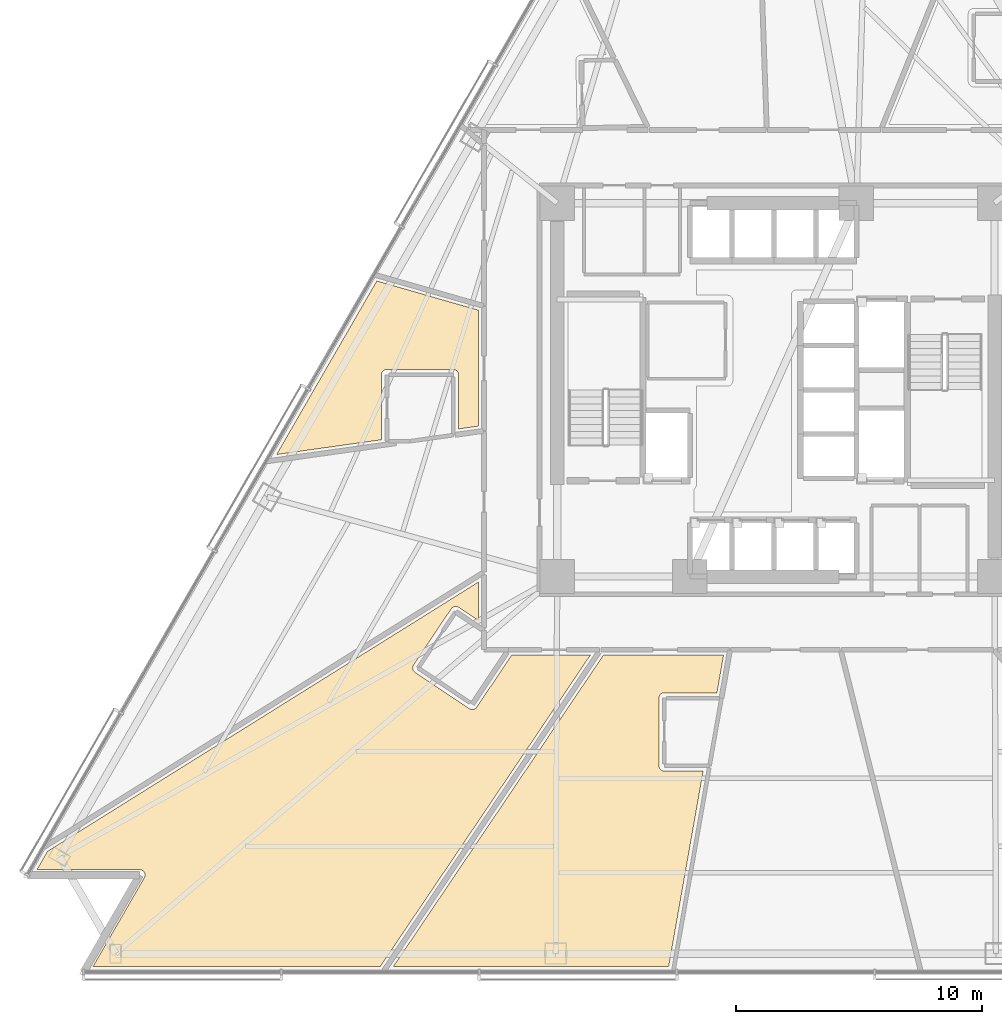
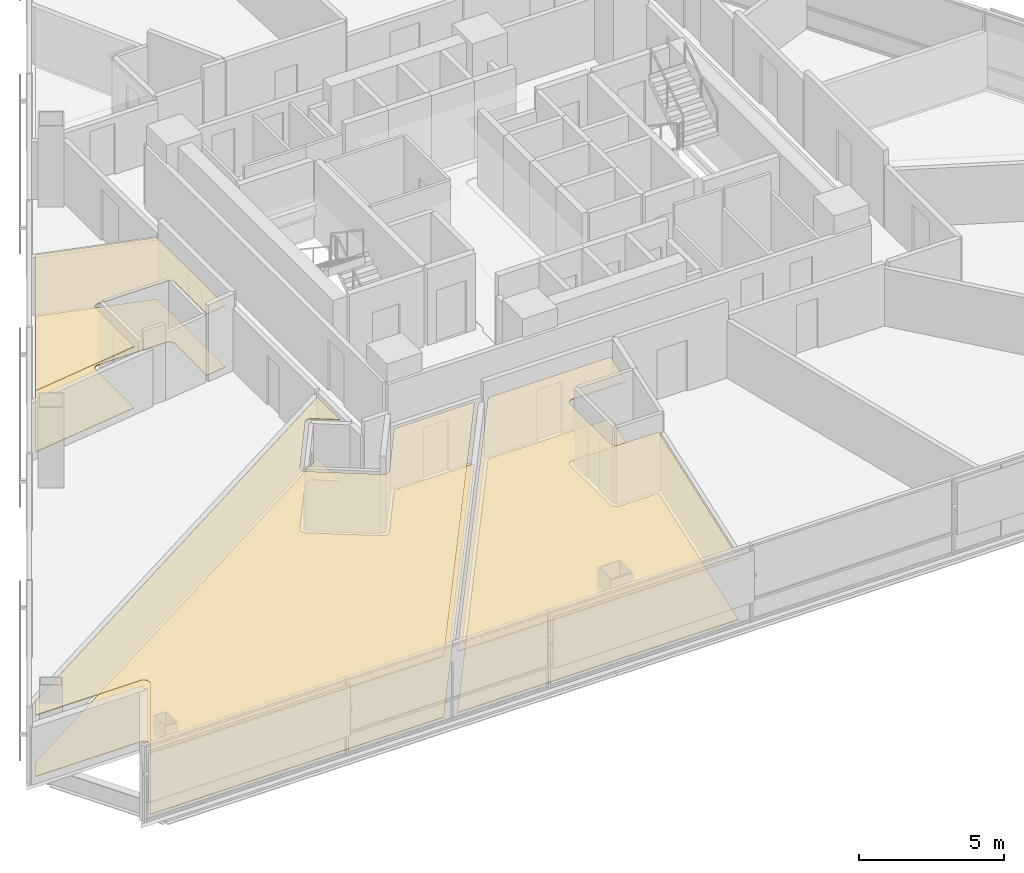
# One storey, part 14 of 16: 6 coverings.
"""IFC4 building model written with IfcOpenShell, lengths in metres."""

from ifc_helpers import new_model, si_unit, direction, frame, origin, place, context, subcontext, project, spatial, polyline, outline, extrude, material, layer, layer_set, type_object, element, save


model = new_model("IFC4")

# Units and contexts
model_context = context("Model", 3, precision=1e-05, world=origin(), true_north=direction((0.0, 1.0)))
body_context = subcontext(model_context, "Body", "Model", "MODEL_VIEW")
ifc_project = project(units=[si_unit("LENGTHUNIT", "METRE"), si_unit("AREAUNIT", "SQUARE_METRE"), si_unit("VOLUMEUNIT", "CUBIC_METRE"), si_unit("PLANEANGLEUNIT", "RADIAN"), si_unit("MASSUNIT", "GRAM", prefix="KILO")], contexts=[model_context])

# Site, building, storey
site_placement = place(None, origin())
site = spatial("IfcSite", under=ifc_project, at=site_placement, CompositionType="ELEMENT")
building_placement = place(site_placement, origin())
building = spatial("IfcBuilding", under=site, at=building_placement, Name="Tharavind Bronze Gate", CompositionType="ELEMENT")
storey_placement = place(building_placement, frame((0.0, 0.0, 42.050048828125)))
storey = spatial("IfcBuildingStorey", under=building, at=storey_placement, Name="L09", CompositionType="ELEMENT", Elevation=42.050048828125)

# Coverings
ifc_material_1 = material(Name="Engineered Oak & Carpet Tile", Category="wood")
ifc_layer_1 = layer(ifc_material_1, 0.02490234375)
ifc_layer_set_1 = layer_set([ifc_layer_1], Name="Engineered Oak & Carpet Tile")
covering_type_1 = type_object("IfcCoveringType", Name="ENGINEERED TIMBER FLOORING", PredefinedType="FLOORING", material=ifc_layer_set_1)
covering_1_placement = place(storey_placement, origin())
element("IfcCovering", 1, at=covering_1_placement, inside=storey, type_object=covering_type_1, Name="L09-RM-08 floor finish", PredefinedType="FLOORING", context=body_context, shape_type="SweptSolid", body=[
    extrude(outline(polyline([(-16.049560546875, -2.033447265625), (-16.049560546875, 0.608154296875), (-16.048583984375, 0.6298828125), (-16.04541015625, 0.651123046875), (-16.040283203125, 0.672119140625), (-16.032958984375, 0.6923828125), (-16.023681640625, 0.7119140625), (-16.0126953125, 0.73046875), (-15.999755859375, 0.747802734375), (-15.985107421875, 0.763916015625), (-15.96923828125, 0.7783203125), (-15.951904296875, 0.791015625), (-15.933349609375, 0.80224609375), (-15.913818359375, 0.8115234375), (-15.8935546875, 0.818603515625), (-15.87255859375, 0.823974609375), (-15.851318359375, 0.8271484375), (-15.82958984375, 0.828125), (-13.129638671875, 0.828125), (-13.108154296875, 0.8271484375), (-13.086669921875, 0.823974609375), (-13.06591796875, 0.818603515625), (-13.04541015625, 0.8115234375), (-13.02587890625, 0.80224609375), (-13.00732421875, 0.791015625), (-12.989990234375, 0.7783203125), (-12.97412109375, 0.763916015625), (-12.959716796875, 0.747802734375), (-12.94677734375, 0.73046875), (-12.935546875, 0.7119140625), (-12.926513671875, 0.6923828125), (-12.919189453125, 0.672119140625), (-12.913818359375, 0.651123046875), (-12.91064453125, 0.6298828125), (-12.90966796875, 0.608154296875), (-12.90966796875, -1.59228515625), (-12.10009765625, -1.478515625), (-12.10009765625, 3.24072265625), (-16.24169921875, 4.428466796875), (-20.319091796875, -2.633544921875), (-16.049560546875, -2.033447265625)])), origin(), (0.0, 0.0, 1.0), 0.02490234375),
])
covering_2_placement = place(storey_placement, origin())
element("IfcCovering", 2, at=covering_2_placement, inside=storey, type_object=covering_type_1, Name="L09-RM-10 floor finish", PredefinedType="FLOORING", context=body_context, shape_type="SweptSolid", body=[
    extrude(outline(polyline([(-25.896484375, -19.531005859375), (-25.885498046875, -19.53125), (-25.885009765625, -19.53125), (-25.863037109375, -19.533447265625), (-25.841552734375, -19.53759765625), (-25.820556640625, -19.544189453125), (-25.80029296875, -19.552734375), (-25.781005859375, -19.563232421875), (-25.762939453125, -19.57568359375), (-25.74609375, -19.589599609375), (-25.73095703125, -19.60546875), (-25.71728515625, -19.62255859375), (-25.705322265625, -19.640869140625), (-25.6953125, -19.660400390625), (-25.687255859375, -19.680908203125), (-25.681396484375, -19.701904296875), (-25.677490234375, -19.7236328125), (-25.67578125, -19.745361328125), (-25.676513671875, -19.767333984375), (-25.67919921875, -19.7890625), (-25.68408203125, -19.810546875), (-25.691162109375, -19.831298828125), (-25.7001953125, -19.851318359375), (-25.7001953125, -19.851806640625), (-25.70556640625, -19.861328125), (-27.794677734375, -23.47998046875), (-16.102783203125, -23.47998046875), (-7.550048828125, -10.800048828125), (-10.75634765625, -10.800048828125), (-12.173828125, -12.91748046875), (-12.186767578125, -12.934814453125), (-12.201416015625, -12.95068359375), (-12.21728515625, -12.96533203125), (-12.234619140625, -12.978271484375), (-12.253173828125, -12.9892578125), (-12.272705078125, -12.99853515625), (-12.29296875, -13.005615234375), (-12.31396484375, -13.010986328125), (-12.335205078125, -13.01416015625), (-12.35693359375, -13.01513671875), (-12.37841796875, -13.01416015625), (-12.39990234375, -13.010986328125), (-12.420654296875, -13.005615234375), (-12.441162109375, -12.998291015625), (-12.460693359375, -12.989013671875), (-12.47900390625, -12.97802734375), (-14.68115234375, -11.50390625), (-14.698486328125, -11.490966796875), (-14.714599609375, -11.4765625), (-14.72900390625, -11.46044921875), (-14.741943359375, -11.443115234375), (-14.7529296875, -11.424560546875), (-14.76220703125, -11.405029296875), (-14.769287109375, -11.384765625), (-14.774658203125, -11.36376953125), (-14.77783203125, -11.34228515625), (-14.77880859375, -11.32080078125), (-14.77783203125, -11.29931640625), (-14.774658203125, -11.27783203125), (-14.769287109375, -11.257080078125), (-14.761962890625, -11.23681640625), (-14.752685546875, -11.21728515625), (-14.74169921875, -11.19873046875), (-13.2119140625, -8.913330078125), (-13.198974609375, -8.89599609375), (-13.1845703125, -8.880126953125), (-13.16845703125, -8.865478515625), (-13.151123046875, -8.852783203125), (-13.132568359375, -8.841796875), (-13.113037109375, -8.83251953125), (-13.0927734375, -8.8251953125), (-13.07177734375, -8.820068359375), (-13.050537109375, -8.81689453125), (-13.02880859375, -8.81591796875), (-13.00732421875, -8.81689453125), (-12.986083984375, -8.820068359375), (-12.965087890625, -8.8251953125), (-12.944580078125, -8.83251953125), (-12.92529296875, -8.841796875), (-12.90673828125, -8.85302734375), (-12.10009765625, -9.39306640625), (-12.10009765625, -7.8203125), (-29.642333984375, -18.781982421875), (-30.07470703125, -19.531005859375), (-25.896484375, -19.531005859375)])), origin(), (0.0, 0.0, 1.0), 0.02490234375),
])
covering_3_placement = place(storey_placement, origin())
element("IfcCovering", 3, at=covering_3_placement, inside=storey, type_object=covering_type_1, Name="L09-RM-11 floor finish", PredefinedType="FLOORING", context=body_context, shape_type="SweptSolid", body=[
    extrude(outline(polyline([(-4.363525390625, -23.47998046875), (-2.9599609375, -15.52001953125), (-4.53662109375, -15.52001953125), (-4.558349609375, -15.518798828125), (-4.57958984375, -15.515869140625), (-4.6005859375, -15.510498046875), (-4.620849609375, -15.50341796875), (-4.640380859375, -15.493896484375), (-4.658935546875, -15.48291015625), (-4.67626953125, -15.47021484375), (-4.6923828125, -15.45556640625), (-4.706787109375, -15.439697265625), (-4.719482421875, -15.422119140625), (-4.730712890625, -15.40380859375), (-4.739990234375, -15.38427734375), (-4.747314453125, -15.364013671875), (-4.75244140625, -15.343017578125), (-4.755615234375, -15.321533203125), (-4.756591796875, -15.300048828125), (-4.756591796875, -12.550048828125), (-4.755615234375, -12.5283203125), (-4.75244140625, -12.507080078125), (-4.747314453125, -12.486083984375), (-4.739990234375, -12.4658203125), (-4.730712890625, -12.4462890625), (-4.719482421875, -12.427734375), (-4.706787109375, -12.410400390625), (-4.6923828125, -12.394287109375), (-4.67626953125, -12.3798828125), (-4.658935546875, -12.3671875), (-4.640380859375, -12.35595703125), (-4.620849609375, -12.3466796875), (-4.6005859375, -12.339599609375), (-4.57958984375, -12.334228515625), (-4.558349609375, -12.3310546875), (-4.53662109375, -12.330078125), (-2.3974609375, -12.330078125), (-2.127685546875, -10.800048828125), (-7.019287109375, -10.800048828125), (-15.572021484375, -23.47998046875), (-4.363525390625, -23.47998046875)])), origin(), (0.0, 0.0, 1.0), 0.02490234375),
])
ifc_material_2 = material(Name="Acoustic Gypsum Board", Category="gypsum")
ifc_layer_2 = layer(ifc_material_2, 0.030029296875)
ifc_layer_set_2 = layer_set([ifc_layer_2], Name="Acoustic Gypsum Board")
covering_type_2 = type_object("IfcCoveringType", Name="GYPSUM SUSPENDED CEILING", PredefinedType="CEILING", material=ifc_layer_set_2)
covering_4_placement = place(storey_placement, frame((0.0, 0.0, 2.574951171875)))
element("IfcCovering", 4, at=covering_4_placement, inside=storey, type_object=covering_type_2, Name="L09-RM-08 suspended ceiling", PredefinedType="CEILING", context=body_context, shape_type="SweptSolid", body=[
    extrude(outline(polyline([(-16.049560546875, -2.033447265625), (-16.049560546875, 0.608154296875), (-16.048583984375, 0.6298828125), (-16.04541015625, 0.651123046875), (-16.040283203125, 0.672119140625), (-16.032958984375, 0.6923828125), (-16.023681640625, 0.7119140625), (-16.0126953125, 0.73046875), (-15.999755859375, 0.747802734375), (-15.985107421875, 0.763916015625), (-15.96923828125, 0.7783203125), (-15.951904296875, 0.791015625), (-15.933349609375, 0.80224609375), (-15.913818359375, 0.8115234375), (-15.8935546875, 0.818603515625), (-15.87255859375, 0.823974609375), (-15.851318359375, 0.8271484375), (-15.82958984375, 0.828125), (-13.129638671875, 0.828125), (-13.108154296875, 0.8271484375), (-13.086669921875, 0.823974609375), (-13.06591796875, 0.818603515625), (-13.04541015625, 0.8115234375), (-13.02587890625, 0.80224609375), (-13.00732421875, 0.791015625), (-12.989990234375, 0.7783203125), (-12.97412109375, 0.763916015625), (-12.959716796875, 0.747802734375), (-12.94677734375, 0.73046875), (-12.935546875, 0.7119140625), (-12.926513671875, 0.6923828125), (-12.919189453125, 0.672119140625), (-12.913818359375, 0.651123046875), (-12.91064453125, 0.6298828125), (-12.90966796875, 0.608154296875), (-12.90966796875, -1.59228515625), (-12.10009765625, -1.478515625), (-12.10009765625, 3.24072265625), (-16.24169921875, 4.428466796875), (-20.319091796875, -2.633544921875), (-16.049560546875, -2.033447265625)])), origin(), (0.0, 0.0, 1.0), 0.034912109375),
])
covering_5_placement = place(storey_placement, frame((0.0, 0.0, 2.574951171875)))
element("IfcCovering", 5, at=covering_5_placement, inside=storey, type_object=covering_type_2, Name="L09-RM-10 suspended ceiling", PredefinedType="CEILING", context=body_context, shape_type="SweptSolid", body=[
    extrude(outline(polyline([(-25.896484375, -19.531005859375), (-25.885498046875, -19.53125), (-25.885009765625, -19.53125), (-25.863037109375, -19.533447265625), (-25.841552734375, -19.53759765625), (-25.820556640625, -19.544189453125), (-25.80029296875, -19.552734375), (-25.781005859375, -19.563232421875), (-25.762939453125, -19.57568359375), (-25.74609375, -19.589599609375), (-25.73095703125, -19.60546875), (-25.71728515625, -19.62255859375), (-25.705322265625, -19.640869140625), (-25.6953125, -19.660400390625), (-25.687255859375, -19.680908203125), (-25.681396484375, -19.701904296875), (-25.677490234375, -19.7236328125), (-25.67578125, -19.745361328125), (-25.676513671875, -19.767333984375), (-25.67919921875, -19.7890625), (-25.68408203125, -19.810546875), (-25.691162109375, -19.831298828125), (-25.7001953125, -19.851318359375), (-25.7001953125, -19.851806640625), (-25.70556640625, -19.861328125), (-27.794677734375, -23.47998046875), (-16.102783203125, -23.47998046875), (-7.550048828125, -10.800048828125), (-10.75634765625, -10.800048828125), (-12.173828125, -12.91748046875), (-12.186767578125, -12.934814453125), (-12.201416015625, -12.95068359375), (-12.21728515625, -12.96533203125), (-12.234619140625, -12.978271484375), (-12.253173828125, -12.9892578125), (-12.272705078125, -12.99853515625), (-12.29296875, -13.005615234375), (-12.31396484375, -13.010986328125), (-12.335205078125, -13.01416015625), (-12.35693359375, -13.01513671875), (-12.37841796875, -13.01416015625), (-12.39990234375, -13.010986328125), (-12.420654296875, -13.005615234375), (-12.441162109375, -12.998291015625), (-12.460693359375, -12.989013671875), (-12.47900390625, -12.97802734375), (-14.68115234375, -11.50390625), (-14.698486328125, -11.490966796875), (-14.714599609375, -11.4765625), (-14.72900390625, -11.46044921875), (-14.741943359375, -11.443115234375), (-14.7529296875, -11.424560546875), (-14.76220703125, -11.405029296875), (-14.769287109375, -11.384765625), (-14.774658203125, -11.36376953125), (-14.77783203125, -11.34228515625), (-14.77880859375, -11.32080078125), (-14.77783203125, -11.29931640625), (-14.774658203125, -11.27783203125), (-14.769287109375, -11.257080078125), (-14.761962890625, -11.23681640625), (-14.752685546875, -11.21728515625), (-14.74169921875, -11.19873046875), (-13.2119140625, -8.913330078125), (-13.198974609375, -8.89599609375), (-13.1845703125, -8.880126953125), (-13.16845703125, -8.865478515625), (-13.151123046875, -8.852783203125), (-13.132568359375, -8.841796875), (-13.113037109375, -8.83251953125), (-13.0927734375, -8.8251953125), (-13.07177734375, -8.820068359375), (-13.050537109375, -8.81689453125), (-13.02880859375, -8.81591796875), (-13.00732421875, -8.81689453125), (-12.986083984375, -8.820068359375), (-12.965087890625, -8.8251953125), (-12.944580078125, -8.83251953125), (-12.92529296875, -8.841796875), (-12.90673828125, -8.85302734375), (-12.10009765625, -9.39306640625), (-12.10009765625, -7.8203125), (-29.642333984375, -18.781982421875), (-30.07470703125, -19.531005859375), (-25.896484375, -19.531005859375)])), origin(), (0.0, 0.0, 1.0), 0.034912109375),
])
covering_6_placement = place(storey_placement, frame((0.0, 0.0, 2.574951171875)))
element("IfcCovering", 6, at=covering_6_placement, inside=storey, type_object=covering_type_2, Name="L09-RM-11 suspended ceiling", PredefinedType="CEILING", context=body_context, shape_type="SweptSolid", body=[
    extrude(outline(polyline([(-4.363525390625, -23.47998046875), (-2.9599609375, -15.52001953125), (-4.53662109375, -15.52001953125), (-4.558349609375, -15.518798828125), (-4.57958984375, -15.515869140625), (-4.6005859375, -15.510498046875), (-4.620849609375, -15.50341796875), (-4.640380859375, -15.493896484375), (-4.658935546875, -15.48291015625), (-4.67626953125, -15.47021484375), (-4.6923828125, -15.45556640625), (-4.706787109375, -15.439697265625), (-4.719482421875, -15.422119140625), (-4.730712890625, -15.40380859375), (-4.739990234375, -15.38427734375), (-4.747314453125, -15.364013671875), (-4.75244140625, -15.343017578125), (-4.755615234375, -15.321533203125), (-4.756591796875, -15.300048828125), (-4.756591796875, -12.550048828125), (-4.755615234375, -12.5283203125), (-4.75244140625, -12.507080078125), (-4.747314453125, -12.486083984375), (-4.739990234375, -12.4658203125), (-4.730712890625, -12.4462890625), (-4.719482421875, -12.427734375), (-4.706787109375, -12.410400390625), (-4.6923828125, -12.394287109375), (-4.67626953125, -12.3798828125), (-4.658935546875, -12.3671875), (-4.640380859375, -12.35595703125), (-4.620849609375, -12.3466796875), (-4.6005859375, -12.339599609375), (-4.57958984375, -12.334228515625), (-4.558349609375, -12.3310546875), (-4.53662109375, -12.330078125), (-2.3974609375, -12.330078125), (-2.127685546875, -10.800048828125), (-7.019287109375, -10.800048828125), (-15.572021484375, -23.47998046875), (-4.363525390625, -23.47998046875)])), origin(), (0.0, 0.0, 1.0), 0.034912109375),
])

save(model, "model.ifc")
